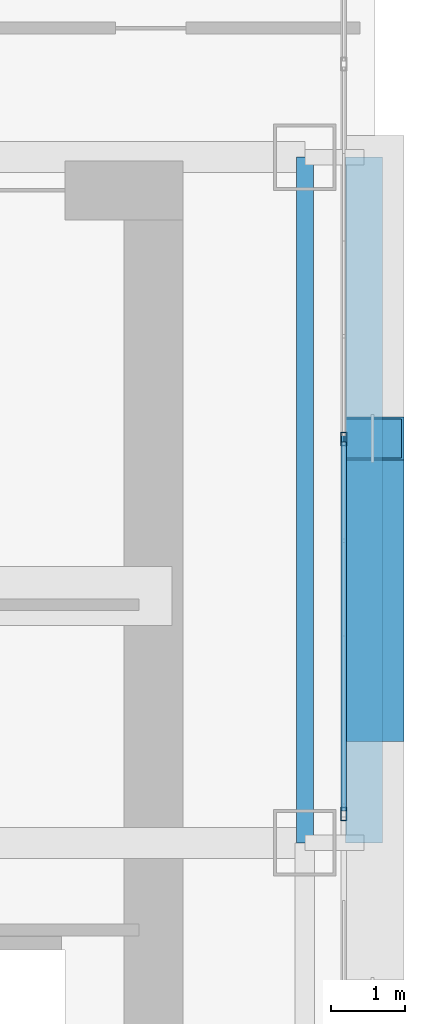
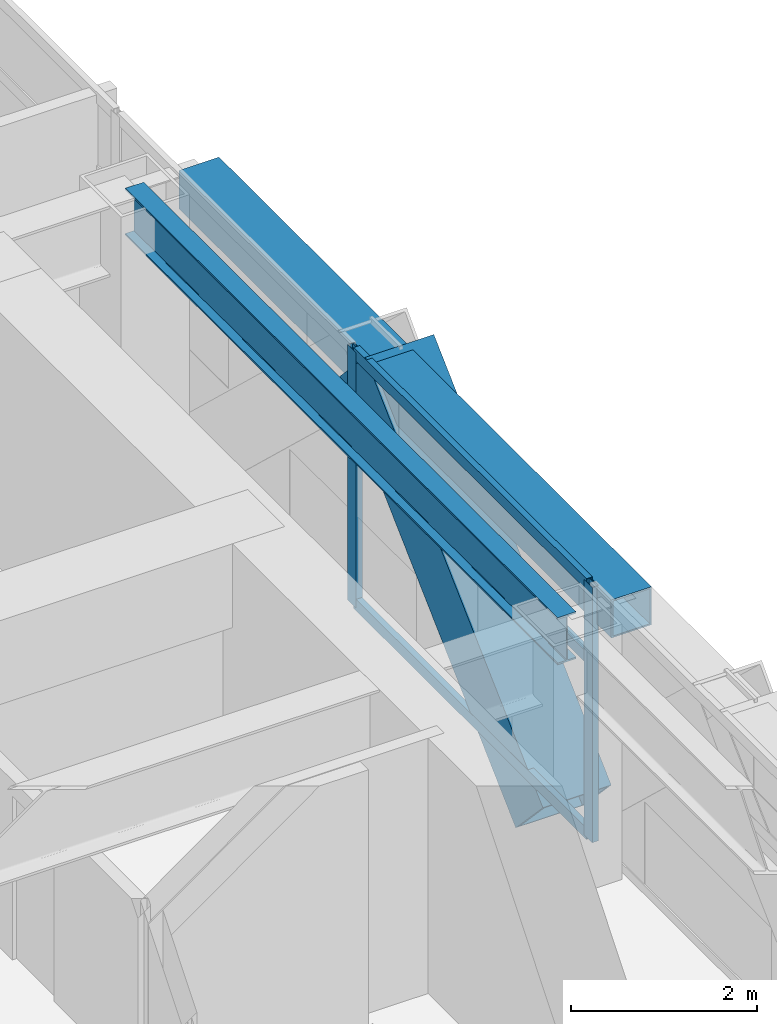
# One storey, part 15 of 35: 6 members, 2 beams, 1 element without a shape of its own.
"""IFC4 building model written with IfcOpenShell, lengths in metres."""

from ifc_helpers import new_model, si_unit, direction, frame, origin, origin_2d, place, context, subcontext, project, spatial, hollow_rectangle, i_section, extrude, source, transform, mapped, material, layer, layer_set, material_profile, profile_set, type_object, element, aggregate, save


model = new_model("IFC4")

# Units and contexts
model_context = context("Model", 3, precision=1e-05, world=origin(), true_north=direction((0.0, 1.0)))
body_context = subcontext(model_context, "Body", "Model", "MODEL_VIEW")
ifc_project = project(units=[si_unit("LENGTHUNIT", "METRE"), si_unit("AREAUNIT", "SQUARE_METRE"), si_unit("VOLUMEUNIT", "CUBIC_METRE"), si_unit("PLANEANGLEUNIT", "RADIAN"), si_unit("MASSUNIT", "GRAM", prefix="KILO")], contexts=[model_context])

# Site, building, storey
site_placement = place(None, origin())
site = spatial("IfcSite", under=ifc_project, at=site_placement, CompositionType="ELEMENT")
building_placement = place(site_placement, origin())
building = spatial("IfcBuilding", under=site, at=building_placement, Name="Ocotamira Hotel", CompositionType="ELEMENT")
storey_placement = place(building_placement, frame((0.0, 0.0, 78.0)))
storey = spatial("IfcBuildingStorey", under=building, at=storey_placement, Name="L19", CompositionType="ELEMENT", Elevation=78.0)

# Beams
ifc_material_1 = material(Name="Steel ASTM A992 Grade 50", Category="steel")
ifc_material_profile_1 = material_profile(ifc_material_1, i_section(OverallWidth=0.22998046875, OverallDepth=0.616943359375, WebThickness=0.01318359375, FlangeThickness=0.022216796875, FilletRadius=0.012939453125, at=origin_2d()), Name="W24X94")
ifc_profile_set_1 = profile_set([ifc_material_profile_1], Name="Steel ASTM A992 Grade 50")
beam_type_1 = type_object("IfcBeamType", Name="BM-PRIM-W24X94", PredefinedType="BEAM", material=ifc_profile_set_1)
shared_shape_1 = source(origin(), body_context, "Body", "SweptSolid", [
    extrude(i_section(OverallWidth=0.22998046875, OverallDepth=0.616943359375, WebThickness=0.01318359375, FlangeThickness=0.022216796875, FilletRadius=0.012939453125, at=origin_2d()), origin(), (0.0, 0.0, 1.0), 9.300048828125),
])
beam_1_placement = place(storey_placement, frame((55.050048828125, 28.14990234375, 3.04150390625), z_axis=(0.0, 1.0, 0.0), x_axis=(-1.0, 0.0, 0.0)))
element("IfcBeam", 1, at=beam_1_placement, inside=storey, type_object=beam_type_1, Name="L19 Beam X55.05 Y28.15-37.45", PredefinedType="BEAM", context=body_context, shape_type="MappedRepresentation", body=[
    mapped(shared_shape_1, transform((0.0, 0.0, 0.0), scale=1.0)),
])
ifc_material_2 = material(Name="Steel ASTM A500 Grade C", Category="steel")
ifc_material_profile_2 = material_profile(ifc_material_2, hollow_rectangle(XDim=0.5, YDim=0.5, WallThickness=0.02001953125, at=origin_2d()), Name="HSS500X500X20")
ifc_profile_set_2 = profile_set([ifc_material_profile_2], Name="Steel ASTM A500 Grade C")
beam_type_2 = type_object("IfcBeamType", Name="BM-SPAN-HSS500", PredefinedType="USERDEFINED", material=ifc_profile_set_2)
shared_shape_2 = source(origin(), body_context, "Body", "SweptSolid", [
    extrude(hollow_rectangle(XDim=0.5, YDim=0.5, WallThickness=0.02001953125, at=origin_2d()), origin(), (0.0, 0.0, 1.0), 9.300048828125),
])
beam_2_placement = place(storey_placement, frame((55.85009765625, 28.14990234375, 3.10009765625), z_axis=(0.0, 1.0, 0.0), x_axis=(-1.0, 0.0, 0.0)))
element("IfcBeam", 2, at=beam_2_placement, inside=storey, type_object=beam_type_2, Name="L19 Edge Spandrel E Y28.15-37.45", ObjectType="SPANDREL", PredefinedType="USERDEFINED", context=body_context, shape_type="MappedRepresentation", body=[
    mapped(shared_shape_2, transform((0.0, 0.0, 0.0), scale=1.0)),
])

# Member
ifc_material_3 = material(Name="Pale-metal coated steel ASTM A913 Grade 65", Category="steel")
ifc_material_profile_3 = material_profile(ifc_material_3, hollow_rectangle(XDim=0.85009765625, YDim=0.85009765625, WallThickness=0.035888671875, at=origin_2d()), Name="BOX850X850X36")
ifc_profile_set_3 = profile_set([ifc_material_profile_3], Name="Pale-metal coated steel ASTM A913 Grade 65")
member_type_1 = type_object("IfcMemberType", Name="MEM-EXO-BOX850", PredefinedType="BRACE", material=ifc_profile_set_3)
shared_shape_3 = source(origin(), body_context, "Body", "SweptSolid", [
    extrude(hollow_rectangle(XDim=0.85009765625, YDim=0.85009765625, WallThickness=0.035888671875, at=origin_2d()), origin(), (0.0, 0.0, 1.0), 5.24658203125),
])
member_1_placement = place(storey_placement, frame((55.969970703125, 29.816650390625, -0.5), z_axis=(0.0, 0.727442733726, 0.686168397078), x_axis=(-1.0, 0.0, 0.0)))
element("IfcMember", 3, at=member_1_placement, inside=storey, type_object=member_type_1, Name="L19 Exoskeleton Diagrid E2.1", PredefinedType="BRACE", context=body_context, shape_type="MappedRepresentation", body=[
    mapped(shared_shape_3, transform((0.0, 0.0, 0.0), scale=1.0)),
])

# Curtain wall, members
ifc_material_4 = material(Name="Anodised pale-metal aluminium and solar glass", Category="aluminium")
ifc_layer = layer(ifc_material_4, 0.179931640625)
ifc_layer_set = layer_set([ifc_layer], Name="Anodised pale-metal aluminium and solar glass")
curtain_wall_type = type_object("IfcCurtainWallType", Name="CW-SYS2-Z1", PredefinedType="NOTDEFINED", material=ifc_layer_set)
curtain_wall_placement = place(storey_placement, origin())
curtain_wall = element("IfcCurtainWall", 4, at=curtain_wall_placement, inside=storey, type_object=curtain_wall_type, Name="L19 Curtain Wall CW-2 CW-L19-E", PredefinedType="NOTDEFINED")
ifc_material_5 = material(Name="Anodised pale-metal aluminium 6063-T6", Category="aluminium")
ifc_material_profile_4 = material_profile(ifc_material_5, hollow_rectangle(XDim=0.074951171875, YDim=0.14990234375, WallThickness=0.006103515625, at=origin_2d()), Name="HSS150X75X6")
ifc_profile_set_4 = profile_set([ifc_material_profile_4], Name="Anodised pale-metal aluminium 6063-T6")
member_type_2 = type_object("IfcMemberType", Name="CWT-150X75", PredefinedType="USERDEFINED", material=ifc_profile_set_4)
shared_shape_4 = source(origin(), body_context, "Body", "SweptSolid", [
    extrude(hollow_rectangle(XDim=0.074951171875, YDim=0.14990234375, WallThickness=0.006103515625, at=origin_2d()), origin(), (0.0, 0.0, 1.0), 5.005859375),
])
member_2_placement = place(storey_placement, frame((55.580078125, 28.582763671875, 0.03759765625), z_axis=(0.0, 1.0, 0.0), x_axis=(-1.0, 0.0, 0.0)))
member_2 = element("IfcMember", 5, at=member_2_placement, type_object=member_type_2, Name="CW-2 transom 5.1", ObjectType="TRANSOM", PredefinedType="USERDEFINED", context=body_context, shape_type="MappedRepresentation", body=[
    mapped(shared_shape_4, transform((0.0, 0.0, 0.0), scale=1.0)),
])
member_3_placement = place(storey_placement, frame((55.580078125, 28.582763671875, 2.35009765625), z_axis=(0.0, 1.0, 0.0), x_axis=(-1.0, 0.0, 0.0)))
member_3 = element("IfcMember", 6, at=member_3_placement, type_object=member_type_2, Name="CW-2 transom 5.2", ObjectType="TRANSOM", PredefinedType="USERDEFINED", context=body_context, shape_type="MappedRepresentation", body=[
    mapped(shared_shape_4, transform((0.0, 0.0, 0.0), scale=1.0)),
])
member_4_placement = place(storey_placement, frame((55.580078125, 28.582763671875, 3.3125), z_axis=(0.0, 1.0, 0.0), x_axis=(-1.0, 0.0, 0.0)))
member_4 = element("IfcMember", 7, at=member_4_placement, type_object=member_type_2, Name="CW-2 transom 5.3", ObjectType="TRANSOM", PredefinedType="USERDEFINED", context=body_context, shape_type="MappedRepresentation", body=[
    mapped(shared_shape_4, transform((0.0, 0.0, 0.0), scale=1.0)),
])
ifc_material_profile_5 = material_profile(ifc_material_5, hollow_rectangle(XDim=0.080078125, YDim=0.179931640625, WallThickness=0.006103515625, at=origin_2d()), Name="HSS180X80X6")
ifc_profile_set_5 = profile_set([ifc_material_profile_5], Name="Anodised pale-metal aluminium 6063-T6")
member_type_3 = type_object("IfcMemberType", Name="CWM-180X75", PredefinedType="MULLION", material=ifc_profile_set_5)
shared_shape_5 = source(origin(), body_context, "Body", "SweptSolid", [
    extrude(hollow_rectangle(XDim=0.080078125, YDim=0.179931640625, WallThickness=0.006103515625, at=origin_2d()), origin(), (0.0, 0.0, 1.0), 3.35009765625),
])
member_5_placement = place(storey_placement, frame((55.580078125, 28.54296875, 0.0), z_axis=(0.0, 0.0, 1.0), x_axis=(-1.0, 0.0, 0.0)))
member_5 = element("IfcMember", 8, at=member_5_placement, type_object=member_type_3, Name="CW-2 mullion 5", PredefinedType="MULLION", context=body_context, shape_type="MappedRepresentation", body=[
    mapped(shared_shape_5, transform((0.0, 0.0, 0.0), scale=1.0)),
])
member_6_placement = place(storey_placement, frame((55.580078125, 33.628662109375, 0.0), z_axis=(0.0, 0.0, 1.0), x_axis=(-1.0, 0.0, 0.0)))
member_6 = element("IfcMember", 9, at=member_6_placement, type_object=member_type_3, Name="CW-2 mullion 6", PredefinedType="MULLION", context=body_context, shape_type="MappedRepresentation", body=[
    mapped(shared_shape_5, transform((0.0, 0.0, 0.0), scale=1.0)),
])
aggregate(curtain_wall, [member_5, member_6, member_2, member_3, member_4])

save(model, "model.ifc")
